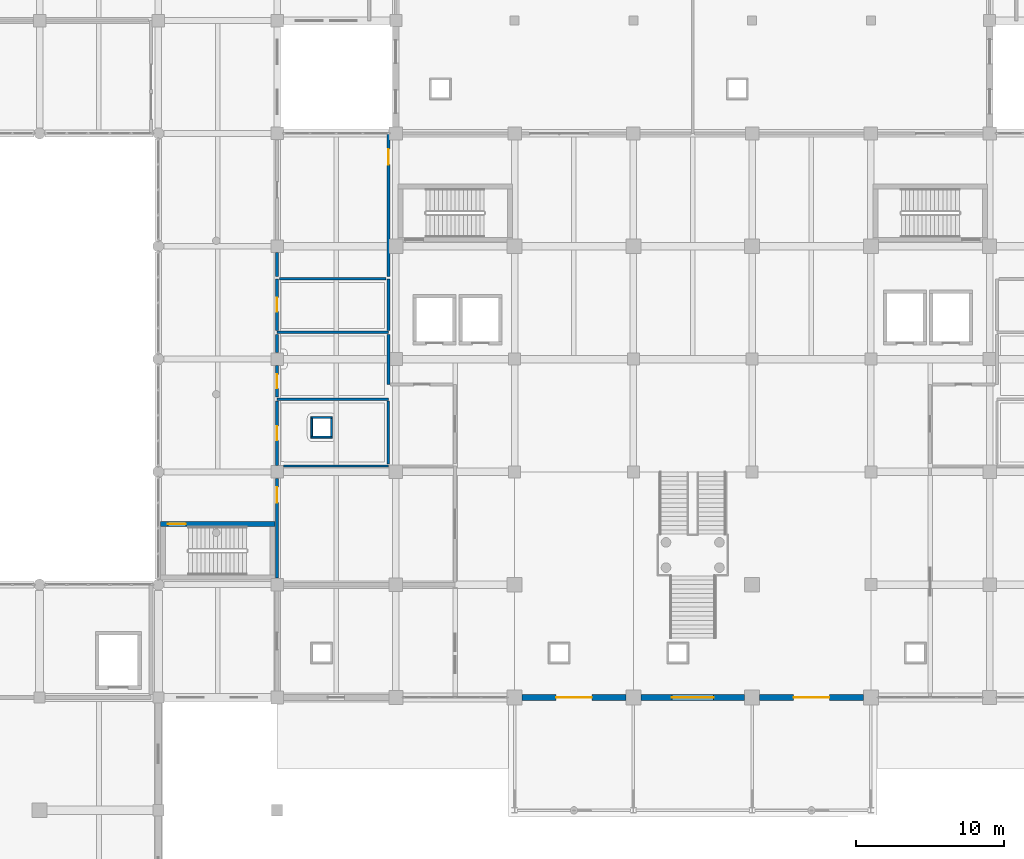
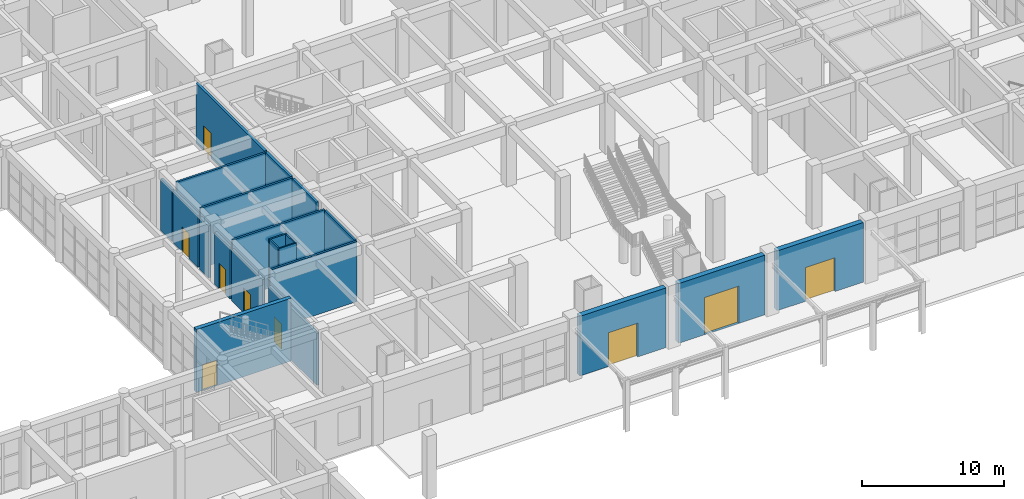
# One storey, part 71 of 95: 22 walls, 9 doors, 9 openings.
"""IFC4 building model written with IfcOpenShell, lengths in metres."""

from ifc_helpers import new_model, si_unit, direction, frame, frame_2d, origin, place, context, subcontext, project, spatial, rectangle, extrude, material, layer, layer_set, type_object, element, fill, save


model = new_model("IFC4")

# Units and contexts
model_context = context("Model", 3, precision=1e-05, world=origin(), true_north=direction((0.0, 1.0)))
body_context = subcontext(model_context, "Body", "Model", "MODEL_VIEW")
ifc_project = project(units=[si_unit("LENGTHUNIT", "METRE"), si_unit("AREAUNIT", "SQUARE_METRE"), si_unit("VOLUMEUNIT", "CUBIC_METRE"), si_unit("PLANEANGLEUNIT", "RADIAN"), si_unit("MASSUNIT", "GRAM", prefix="KILO")], contexts=[model_context])

# Site, building, storey
site_placement = place(None, origin())
site = spatial("IfcSite", under=ifc_project, at=site_placement, CompositionType="ELEMENT")
building_placement = place(site_placement, origin())
building = spatial("IfcBuilding", under=site, at=building_placement, Name="Zantavel Square City Hall", CompositionType="ELEMENT")
storey_placement = place(building_placement, origin())
storey = spatial("IfcBuildingStorey", under=building, at=storey_placement, Name="L01", CompositionType="ELEMENT", Elevation=0.0)

# Wall, opening, door
ifc_material_1 = material(Name="Concrete C40/50", Category="concrete")
ifc_layer_1 = layer(ifc_material_1, 0.320068359375, Name="Concrete C40/50")
ifc_layer_set_1 = layer_set([ifc_layer_1], Name="Concrete C40/50")
wall_type_1 = type_object("IfcWallType", Name="Core Shear Wall RC 320mm C40/50", PredefinedType="SHEAR", material=ifc_layer_set_1)
wall_1_placement = place(storey_placement, frame((48.14990234375, 42.080078125, 0.0), z_axis=(0.0, 0.0, 1.0), x_axis=(1.0, 0.0, 0.0)))
wall_1 = element("IfcWall", 1, at=wall_1_placement, inside=storey, type_object=wall_type_1, Name="L01 Exit Stair 3 West Pavilion Core Shear Wall North", PredefinedType="SHEAR", context=body_context, shape_type="SweptSolid", body=[
    extrude(rectangle(XDim=7.7001953125, YDim=0.320068359375, at=frame_2d((3.85009765625, 0.0))), origin(), (0.0, 0.0, 1.0), 5.39990234375),
])
opening_1_placement = place(wall_1_placement, frame((0.5, 0.0, 0.0)))
opening_1 = element("IfcOpeningElement", 2, at=opening_1_placement, cuts=wall_1, Name="Opening SD-013", PredefinedType="OPENING", context=body_context, shape_type="SweptSolid", body=[
    extrude(rectangle(XDim=1.199951171875, YDim=2.199951171875, at=frame_2d((0.60009765625, 1.10009765625))), frame((0.0, 0.169921875, 0.0), z_axis=(0.0, -1.0, 0.0), x_axis=(1.0, 0.0, 0.0)), (0.0, 0.0, 1.0), 0.340087890625),
])
ifc_material_2 = material(Name="Steel ASTM A500 Grade B", Category="steel")
door_type_1 = type_object("IfcDoorType", Name="Enclosed Exit Stairwell Fire Door 1200x2200 FD90S", OperationType="NOTDEFINED", PredefinedType="DOOR", material=ifc_material_2)
door_1_placement = place(opening_1_placement, origin())
door_1 = element("IfcDoor", 3, at=door_1_placement, inside=storey, type_object=door_type_1, Name="L01 Exit Stair 3 West Pavilion Core Fire Door", OperationType="SINGLE_SWING_LEFT", OverallHeight=2.199951171875, OverallWidth=1.199951171875, PredefinedType="DOOR", context=body_context, shape_type="SweptSolid", body=[
    extrude(rectangle(XDim=1.199951171875, YDim=2.199951171875, at=frame_2d((0.60009765625, 1.10009765625))), frame((0.0, 0.02490234375, 0.0), z_axis=(0.0, -1.0, 0.0), x_axis=(1.0, 0.0, 0.0)), (0.0, 0.0, 1.0), 0.050048828125),
])
fill(opening_1, door_1)

ifc_material_3 = material(Name="Cantera volcanic tuff stone", Category="masonry")
ifc_layer_2 = layer(ifc_material_3, 0.199951171875, Name="Cantera volcanic tuff stone")
ifc_layer_set_2 = layer_set([ifc_layer_2], Name="Cantera volcanic tuff stone")
wall_type_2 = type_object("IfcWallType", Name="Exit Corridor Rated Wall 200mm", PredefinedType="STANDARD", material=ifc_layer_set_2)
wall_2_placement = place(storey_placement, frame((56.0, 46.034912109375, 0.0), z_axis=(0.0, 0.0, 1.0), x_axis=(0.0, 1.0, 0.0)))
wall_2 = element("IfcWall", 4, at=wall_2_placement, inside=storey, type_object=wall_type_2, Name="L01 Interior Wall IW-L01-0050", PredefinedType="STANDARD", context=body_context, shape_type="SweptSolid", body=[
    extrude(rectangle(XDim=4.335205078125, YDim=0.199951171875, at=frame_2d((2.16748046875, 0.0))), origin(), (0.0, 0.0, 1.0), 4.4599609375),
])
opening_2_placement = place(wall_2_placement, frame((1.6923828125, 0.0, 0.0)))
opening_2 = element("IfcOpeningElement", 5, at=opening_2_placement, cuts=wall_2, Name="Opening D-0023", PredefinedType="OPENING", context=body_context, shape_type="SweptSolid", body=[
    extrude(rectangle(XDim=0.949951171875, YDim=2.14990234375, at=frame_2d((0.47509765625, 1.074951171875))), frame((0.0, 0.10986328125, 0.0), z_axis=(0.0, -1.0, 0.0), x_axis=(1.0, 0.0, 0.0)), (0.0, 0.0, 1.0), 0.219970703125),
])
ifc_material_4 = material(Name="Solid oak hardwood", Category="wood")
door_type_2 = type_object("IfcDoorType", Name="Corridor Restroom Oak Fire Door 950x2150 FD60S", OperationType="NOTDEFINED", PredefinedType="DOOR", material=ifc_material_4)
door_2_placement = place(opening_2_placement, origin())
door_2 = element("IfcDoor", 6, at=door_2_placement, inside=storey, type_object=door_type_2, Name="L01 L01 West Mens Restroom Door", OperationType="SINGLE_SWING_LEFT", OverallHeight=2.14990234375, OverallWidth=0.949951171875, PredefinedType="DOOR", context=body_context, shape_type="SweptSolid", body=[
    extrude(rectangle(XDim=0.949951171875, YDim=2.14990234375, at=frame_2d((0.47509765625, 1.074951171875))), frame((0.0, 0.02490234375, 0.0), z_axis=(0.0, -1.0, 0.0), x_axis=(1.0, 0.0, 0.0)), (0.0, 0.0, 1.0), 0.050048828125),
])
fill(opening_2, door_2)

wall_3_placement = place(storey_placement, frame((56.0, 50.6298828125, 0.0), z_axis=(0.0, 0.0, 1.0), x_axis=(0.0, 1.0, 0.0)))
wall_3 = element("IfcWall", 7, at=wall_3_placement, inside=storey, type_object=wall_type_2, Name="L01 Interior Wall IW-L01-0053", PredefinedType="STANDARD", context=body_context, shape_type="SweptSolid", body=[
    extrude(rectangle(XDim=2.135009765625, YDim=0.199951171875, at=frame_2d((1.0673828125, 0.0))), origin(), (0.0, 0.0, 1.0), 4.4599609375),
])
opening_3_placement = place(wall_3_placement, frame((0.592529296875, 0.0, 0.0)))
opening_3 = element("IfcOpeningElement", 8, at=opening_3_placement, cuts=wall_3, Name="Opening D-0024", PredefinedType="OPENING", context=body_context, shape_type="SweptSolid", body=[
    extrude(rectangle(XDim=0.949951171875, YDim=2.14990234375, at=frame_2d((0.47509765625, 1.074951171875))), frame((0.0, 0.10986328125, 0.0), z_axis=(0.0, -1.0, 0.0), x_axis=(1.0, 0.0, 0.0)), (0.0, 0.0, 1.0), 0.219970703125),
])
door_3_placement = place(opening_3_placement, origin())
door_3 = element("IfcDoor", 9, at=door_3_placement, inside=storey, type_object=door_type_2, Name="L01 L01 West Womens Restroom Door", OperationType="SINGLE_SWING_RIGHT", OverallHeight=2.14990234375, OverallWidth=0.949951171875, PredefinedType="DOOR", context=body_context, shape_type="SweptSolid", body=[
    extrude(rectangle(XDim=0.949951171875, YDim=2.14990234375, at=frame_2d((0.47509765625, 1.074951171875))), frame((0.0, 0.02490234375, 0.0), z_axis=(0.0, -1.0, 0.0), x_axis=(1.0, 0.0, 0.0)), (0.0, 0.0, 1.0), 0.050048828125),
])
fill(opening_3, door_3)

# Walls
wall_4_placement = place(storey_placement, frame((56.0, 53.635009765625, 0.0), z_axis=(0.0, 0.0, 1.0), x_axis=(0.0, 1.0, 0.0)))
element("IfcWall", 10, at=wall_4_placement, inside=storey, type_object=wall_type_2, Name="L01 Interior Wall IW-L01-0054", PredefinedType="STANDARD", context=body_context, shape_type="SweptSolid", body=[
    extrude(rectangle(XDim=1.235107421875, YDim=0.199951171875, at=frame_2d((0.61767578125, 0.0))), origin(), (0.0, 0.0, 1.0), 4.4599609375),
])
wall_5_placement = place(storey_placement, frame((63.5, 54.8701171875, 0.0), z_axis=(0.0, 0.0, 1.0), x_axis=(0.0, -1.0, 0.0)))
element("IfcWall", 11, at=wall_5_placement, inside=storey, type_object=wall_type_2, Name="L01 Interior Wall IW-L01-0055", PredefinedType="STANDARD", context=body_context, shape_type="SweptSolid", body=[
    extrude(rectangle(XDim=3.3701171875, YDim=0.199951171875, at=frame_2d((1.68505859375, 0.0))), origin(), (0.0, 0.0, 1.0), 5.159912109375),
])

# Wall, opening, door
wall_6_placement = place(storey_placement, frame((56.0, 55.1298828125, 0.0), z_axis=(0.0, 0.0, 1.0), x_axis=(0.0, 1.0, 0.0)))
wall_6 = element("IfcWall", 12, at=wall_6_placement, inside=storey, type_object=wall_type_2, Name="L01 Interior Wall IW-L01-0056", PredefinedType="STANDARD", context=body_context, shape_type="SweptSolid", body=[
    extrude(rectangle(XDim=3.47021484375, YDim=0.199951171875, at=frame_2d((1.735107421875, 0.0))), origin(), (0.0, 0.0, 1.0), 4.4599609375),
])
opening_4_placement = place(wall_6_placement, frame((1.260009765625, 0.0, 0.0)))
opening_4 = element("IfcOpeningElement", 13, at=opening_4_placement, cuts=wall_6, Name="Opening D-0025", PredefinedType="OPENING", context=body_context, shape_type="SweptSolid", body=[
    extrude(rectangle(XDim=0.949951171875, YDim=2.14990234375, at=frame_2d((0.47509765625, 1.074951171875))), frame((0.0, 0.10986328125, 0.0), z_axis=(0.0, -1.0, 0.0), x_axis=(1.0, 0.0, 0.0)), (0.0, 0.0, 1.0), 0.219970703125),
])
door_4_placement = place(opening_4_placement, origin())
door_4 = element("IfcDoor", 14, at=door_4_placement, inside=storey, type_object=door_type_2, Name="L01 L01 West Accessible WC Door", OperationType="SINGLE_SWING_LEFT", OverallHeight=2.14990234375, OverallWidth=0.949951171875, PredefinedType="DOOR", context=body_context, shape_type="SweptSolid", body=[
    extrude(rectangle(XDim=0.949951171875, YDim=2.14990234375, at=frame_2d((0.47509765625, 1.074951171875))), frame((0.0, 0.02490234375, 0.0), z_axis=(0.0, -1.0, 0.0), x_axis=(1.0, 0.0, 0.0)), (0.0, 0.0, 1.0), 0.050048828125),
])
fill(opening_4, door_4)

# Wall
wall_7_placement = place(storey_placement, frame((63.5, 58.60009765625, 0.0), z_axis=(0.0, 0.0, 1.0), x_axis=(0.0, -1.0, 0.0)))
element("IfcWall", 15, at=wall_7_placement, inside=storey, type_object=wall_type_2, Name="L01 Interior Wall IW-L01-0057", PredefinedType="STANDARD", context=body_context, shape_type="SweptSolid", body=[
    extrude(rectangle(XDim=3.47021484375, YDim=0.199951171875, at=frame_2d((1.735107421875, 0.0))), origin(), (0.0, 0.0, 1.0), 5.159912109375),
])

# Wall, opening, door
wall_8_placement = place(storey_placement, frame((56.0, 38.43505859375, 0.0), z_axis=(0.0, 0.0, 1.0), x_axis=(0.0, 1.0, 0.0)))
wall_8 = element("IfcWall", 16, at=wall_8_placement, inside=storey, type_object=wall_type_2, Name="L01 Interior Wall IW-L01-0123", PredefinedType="STANDARD", context=body_context, shape_type="SweptSolid", body=[
    extrude(rectangle(XDim=6.72998046875, YDim=0.199951171875, at=frame_2d((3.364990234375, 0.0))), origin(), (0.0, 0.0, 1.0), 4.4599609375),
])
opening_5_placement = place(wall_8_placement, frame((5.090087890625, 0.0, 0.0)))
opening_5 = element("IfcOpeningElement", 17, at=opening_5_placement, cuts=wall_8, Name="Opening D-0047", PredefinedType="OPENING", context=body_context, shape_type="SweptSolid", body=[
    extrude(rectangle(XDim=1.050048828125, YDim=2.14990234375, at=frame_2d((0.52490234375, 1.074951171875))), frame((0.0, 0.10986328125, 0.0), z_axis=(0.0, -1.0, 0.0), x_axis=(1.0, 0.0, 0.0)), (0.0, 0.0, 1.0), 0.219970703125),
])
door_type_3 = type_object("IfcDoorType", Name="Corridor Office Oak Fire Door 1050x2150 FD60S", OperationType="NOTDEFINED", PredefinedType="DOOR", material=ifc_material_4)
door_5_placement = place(opening_5_placement, origin())
door_5 = element("IfcDoor", 18, at=door_5_placement, inside=storey, type_object=door_type_3, Name="L01 Public Reception and Civic Security Hall Door", OperationType="SINGLE_SWING_LEFT", OverallHeight=2.14990234375, OverallWidth=1.050048828125, PredefinedType="DOOR", context=body_context, shape_type="SweptSolid", body=[
    extrude(rectangle(XDim=1.050048828125, YDim=2.14990234375, at=frame_2d((0.52490234375, 1.074951171875))), frame((0.0, 0.02490234375, 0.0), z_axis=(0.0, -1.0, 0.0), x_axis=(1.0, 0.0, 0.0)), (0.0, 0.0, 1.0), 0.050048828125),
])
fill(opening_5, door_5)

# Wall
wall_9_placement = place(storey_placement, frame((56.0, 60.364990234375, 0.0), z_axis=(0.0, 0.0, 1.0), x_axis=(0.0, -1.0, 0.0)))
element("IfcWall", 19, at=wall_9_placement, inside=storey, type_object=wall_type_2, Name="L01 Interior Wall IW-L01-0147", PredefinedType="STANDARD", context=body_context, shape_type="SweptSolid", body=[
    extrude(rectangle(XDim=1.614990234375, YDim=0.199951171875, at=frame_2d((0.8076171875, 0.0))), origin(), (0.0, 0.0, 1.0), 4.4599609375),
])

# Wall, opening, door
wall_10_placement = place(storey_placement, frame((63.5, 58.75, 0.0), z_axis=(0.0, 0.0, 1.0), x_axis=(0.0, 1.0, 0.0)))
wall_10 = element("IfcWall", 20, at=wall_10_placement, inside=storey, type_object=wall_type_2, Name="L01 Interior Wall IW-L01-0153", PredefinedType="STANDARD", context=body_context, shape_type="SweptSolid", body=[
    extrude(rectangle(XDim=9.64990234375, YDim=0.199951171875, at=frame_2d((4.824951171875, 0.0))), origin(), (0.0, 0.0, 1.0), 5.159912109375),
])
opening_6_placement = place(wall_10_placement, frame((7.550048828125, 0.0, 0.0)))
opening_6 = element("IfcOpeningElement", 21, at=opening_6_placement, cuts=wall_10, Name="Opening D-0060", PredefinedType="OPENING", context=body_context, shape_type="SweptSolid", body=[
    extrude(rectangle(XDim=1.050048828125, YDim=2.14990234375, at=frame_2d((0.52490234375, 1.074951171875))), frame((0.0, 0.10986328125, 0.0), z_axis=(0.0, -1.0, 0.0), x_axis=(1.0, 0.0, 0.0)), (0.0, 0.0, 1.0), 0.219970703125),
])
door_6_placement = place(opening_6_placement, origin())
door_6 = element("IfcDoor", 22, at=door_6_placement, inside=storey, type_object=door_type_3, Name="L01 L01 Municipal Support Office 2 Door", OperationType="SINGLE_SWING_RIGHT", OverallHeight=2.14990234375, OverallWidth=1.050048828125, PredefinedType="DOOR", context=body_context, shape_type="SweptSolid", body=[
    extrude(rectangle(XDim=1.050048828125, YDim=2.14990234375, at=frame_2d((0.52490234375, 1.074951171875))), frame((0.0, 0.02490234375, 0.0), z_axis=(0.0, -1.0, 0.0), x_axis=(1.0, 0.0, 0.0)), (0.0, 0.0, 1.0), 0.050048828125),
])
fill(opening_6, door_6)

ifc_layer_3 = layer(ifc_material_3, 0.419921875, Name="Cantera volcanic tuff stone")
ifc_layer_set_3 = layer_set([ifc_layer_3], Name="Cantera volcanic tuff stone")
wall_type_3 = type_object("IfcWallType", Name="Forecourt Colonnade Ashlar Wall 420mm", PredefinedType="STANDARD", material=ifc_layer_set_3)
wall_11_placement = place(storey_placement, frame((95.5, 30.39990234375, 0.0), z_axis=(0.0, 0.0, 1.0), x_axis=(-1.0, 0.0, 0.0)))
wall_11 = element("IfcWall", 23, at=wall_11_placement, inside=storey, type_object=wall_type_3, Name="L01 Exterior Wall EW-L01-077", PredefinedType="STANDARD", context=body_context, shape_type="SweptSolid", body=[
    extrude(rectangle(XDim=7.0, YDim=0.419921875, at=frame_2d((3.5, 0.0))), origin(), (0.0, 0.0, 1.0), 5.1201171875),
])
opening_7_placement = place(wall_11_placement, frame((2.300048828125, 0.0, 0.0)))
opening_7 = element("IfcOpeningElement", 24, at=opening_7_placement, cuts=wall_11, Name="Opening ED-011", PredefinedType="OPENING", context=body_context, shape_type="SweptSolid", body=[
    extrude(rectangle(XDim=2.39990234375, YDim=2.89990234375, at=frame_2d((1.199951171875, 1.449951171875))), frame((0.0, 0.219970703125, 0.0), z_axis=(0.0, -1.0, 0.0), x_axis=(1.0, 0.0, 0.0)), (0.0, 0.0, 1.0), 0.43994140625),
])
door_type_4 = type_object("IfcDoorType", Name="Public Hall Grand Entrance Door 2400x2900", OperationType="NOTDEFINED", PredefinedType="DOOR", material=ifc_material_4)
door_7_placement = place(opening_7_placement, origin())
door_7 = element("IfcDoor", 25, at=door_7_placement, inside=storey, type_object=door_type_4, Name="Honor Vestibule East Portal", OperationType="DOUBLE_DOOR_SINGLE_SWING", OverallHeight=2.89990234375, OverallWidth=2.39990234375, PredefinedType="DOOR", context=body_context, shape_type="SweptSolid", body=[
    extrude(rectangle(XDim=2.39990234375, YDim=2.89990234375, at=frame_2d((1.199951171875, 1.449951171875))), frame((0.0, 0.02490234375, 0.0), z_axis=(0.0, -1.0, 0.0), x_axis=(1.0, 0.0, 0.0)), (0.0, 0.0, 1.0), 0.050048828125),
])
fill(opening_7, door_7)

wall_12_placement = place(storey_placement, frame((87.5, 30.39990234375, 0.0), z_axis=(0.0, 0.0, 1.0), x_axis=(-1.0, 0.0, 0.0)))
wall_12 = element("IfcWall", 26, at=wall_12_placement, inside=storey, type_object=wall_type_3, Name="L01 Exterior Wall EW-L01-078", PredefinedType="STANDARD", context=body_context, shape_type="SweptSolid", body=[
    extrude(rectangle(XDim=7.0, YDim=0.419921875, at=frame_2d((3.5, 0.0))), origin(), (0.0, 0.0, 1.0), 5.1201171875),
])
opening_8_placement = place(wall_12_placement, frame((2.10009765625, 0.0, 0.0)))
opening_8 = element("IfcOpeningElement", 27, at=opening_8_placement, cuts=wall_12, Name="Opening ED-012", PredefinedType="OPENING", context=body_context, shape_type="SweptSolid", body=[
    extrude(rectangle(XDim=2.800048828125, YDim=3.199951171875, at=frame_2d((1.39990234375, 1.60009765625))), frame((0.0, 0.219970703125, 0.0), z_axis=(0.0, -1.0, 0.0), x_axis=(1.0, 0.0, 0.0)), (0.0, 0.0, 1.0), 0.43994140625),
])
door_type_5 = type_object("IfcDoorType", Name="Ceremonial Portal Bronze-Oak Double Door 2800x3200", OperationType="NOTDEFINED", PredefinedType="DOOR", material=ifc_material_4)
door_8_placement = place(opening_8_placement, origin())
door_8 = element("IfcDoor", 28, at=door_8_placement, inside=storey, type_object=door_type_5, Name="Honor Vestibule Central Portal", OperationType="DOUBLE_DOOR_SINGLE_SWING", OverallHeight=3.199951171875, OverallWidth=2.800048828125, PredefinedType="DOOR", context=body_context, shape_type="SweptSolid", body=[
    extrude(rectangle(XDim=2.800048828125, YDim=3.199951171875, at=frame_2d((1.39990234375, 1.60009765625))), frame((0.0, 0.02490234375, 0.0), z_axis=(0.0, -1.0, 0.0), x_axis=(1.0, 0.0, 0.0)), (0.0, 0.0, 1.0), 0.050048828125),
])
fill(opening_8, door_8)

wall_13_placement = place(storey_placement, frame((79.5, 30.39990234375, 0.0), z_axis=(0.0, 0.0, 1.0), x_axis=(-1.0, 0.0, 0.0)))
wall_13 = element("IfcWall", 29, at=wall_13_placement, inside=storey, type_object=wall_type_3, Name="L01 Exterior Wall EW-L01-079", PredefinedType="STANDARD", context=body_context, shape_type="SweptSolid", body=[
    extrude(rectangle(XDim=7.0, YDim=0.419921875, at=frame_2d((3.5, 0.0))), origin(), (0.0, 0.0, 1.0), 5.1201171875),
])
opening_9_placement = place(wall_13_placement, frame((2.300048828125, 0.0, 0.0)))
opening_9 = element("IfcOpeningElement", 30, at=opening_9_placement, cuts=wall_13, Name="Opening ED-013", PredefinedType="OPENING", context=body_context, shape_type="SweptSolid", body=[
    extrude(rectangle(XDim=2.39990234375, YDim=2.89990234375, at=frame_2d((1.199951171875, 1.449951171875))), frame((0.0, 0.219970703125, 0.0), z_axis=(0.0, -1.0, 0.0), x_axis=(1.0, 0.0, 0.0)), (0.0, 0.0, 1.0), 0.43994140625),
])
door_9_placement = place(opening_9_placement, origin())
door_9 = element("IfcDoor", 31, at=door_9_placement, inside=storey, type_object=door_type_4, Name="Honor Vestibule West Portal", OperationType="DOUBLE_DOOR_SINGLE_SWING", OverallHeight=2.89990234375, OverallWidth=2.39990234375, PredefinedType="DOOR", context=body_context, shape_type="SweptSolid", body=[
    extrude(rectangle(XDim=2.39990234375, YDim=2.89990234375, at=frame_2d((1.199951171875, 1.449951171875))), frame((0.0, 0.02490234375, 0.0), z_axis=(0.0, -1.0, 0.0), x_axis=(1.0, 0.0, 0.0)), (0.0, 0.0, 1.0), 0.050048828125),
])
fill(opening_9, door_9)

# Walls
ifc_layer_4 = layer(ifc_material_3, 0.159912109375, Name="Cantera volcanic tuff stone")
ifc_layer_set_4 = layer_set([ifc_layer_4], Name="Cantera volcanic tuff stone")
wall_type_4 = type_object("IfcWallType", Name="Restroom Wet-Wall Partition 160mm", PredefinedType="PARTITIONING", material=ifc_layer_set_4)
wall_14_placement = place(storey_placement, frame((56.0, 50.5, 0.0), z_axis=(0.0, 0.0, 1.0), x_axis=(1.0, 0.0, 0.0)))
element("IfcWall", 32, at=wall_14_placement, inside=storey, type_object=wall_type_4, Name="L01 Interior Wall IW-L01-0048", PredefinedType="PARTITIONING", context=body_context, shape_type="SweptSolid", body=[
    extrude(rectangle(XDim=7.5, YDim=0.159912109375, at=frame_2d((3.75, 0.0))), origin(), (0.0, 0.0, 1.0), 5.159912109375),
])
wall_15_placement = place(storey_placement, frame((63.5, 46.0, 0.0), z_axis=(0.0, 0.0, 1.0), x_axis=(-1.0, 0.0, 0.0)))
element("IfcWall", 33, at=wall_15_placement, inside=storey, type_object=wall_type_4, Name="L01 Interior Wall IW-L01-0049", PredefinedType="PARTITIONING", context=body_context, shape_type="SweptSolid", body=[
    extrude(rectangle(XDim=7.06494140625, YDim=0.159912109375, at=frame_2d((3.532470703125, 0.0))), origin(), (0.0, 0.0, 1.0), 5.159912109375),
])
wall_16_placement = place(storey_placement, frame((63.5, 50.3701171875, 0.0), z_axis=(0.0, 0.0, 1.0), x_axis=(0.0, -1.0, 0.0)))
element("IfcWall", 34, at=wall_16_placement, inside=storey, type_object=wall_type_4, Name="L01 Interior Wall IW-L01-0051", PredefinedType="PARTITIONING", context=body_context, shape_type="SweptSolid", body=[
    extrude(rectangle(XDim=4.240234375, YDim=0.159912109375, at=frame_2d((2.1201171875, 0.0))), origin(), (0.0, 0.0, 1.0), 5.159912109375),
])
wall_17_placement = place(storey_placement, frame((56.0, 55.0, 0.0), z_axis=(0.0, 0.0, 1.0), x_axis=(1.0, 0.0, 0.0)))
element("IfcWall", 35, at=wall_17_placement, inside=storey, type_object=wall_type_4, Name="L01 Interior Wall IW-L01-0052", PredefinedType="PARTITIONING", context=body_context, shape_type="SweptSolid", body=[
    extrude(rectangle(XDim=7.5, YDim=0.159912109375, at=frame_2d((3.75, 0.0))), origin(), (0.0, 0.0, 1.0), 5.159912109375),
])
wall_18_placement = place(storey_placement, frame((56.14990234375, 58.60009765625, 0.0), z_axis=(0.0, 0.0, 1.0), x_axis=(1.0, 0.0, 0.0)))
element("IfcWall", 36, at=wall_18_placement, inside=storey, type_object=wall_type_4, Name="L01 Interior Wall IW-L01-0058", PredefinedType="PARTITIONING", context=body_context, shape_type="SweptSolid", body=[
    extrude(rectangle(XDim=7.2001953125, YDim=0.159912109375, at=frame_2d((3.60009765625, 0.0))), origin(), (0.0, 0.0, 1.0), 5.159912109375),
])
ifc_material_5 = material(Name="Concrete C35/45", Category="concrete")
ifc_layer_5 = layer(ifc_material_5, 0.1201171875, Name="Concrete C35/45")
ifc_layer_set_5 = layer_set([ifc_layer_5], Name="Concrete C35/45")
wall_type_5 = type_object("IfcWallType", Name="Riser Chase Wall RC 120mm C35/45", PredefinedType="PARTITIONING", material=ifc_layer_set_5)
wall_19_placement = place(storey_placement, frame((59.719970703125, 47.93994140625, 0.0), z_axis=(0.0, 0.0, 1.0), x_axis=(-1.0, 0.0, 0.0)))
element("IfcWall", 37, at=wall_19_placement, inside=storey, type_object=wall_type_5, Name="L01 MEP Riser 05 Wall S", PredefinedType="PARTITIONING", context=body_context, shape_type="SweptSolid", body=[
    extrude(rectangle(XDim=1.43994140625, YDim=0.1201171875, at=frame_2d((0.719970703125, 0.0))), origin(), (0.0, 0.0, 1.0), 5.159912109375),
])
wall_20_placement = place(storey_placement, frame((58.340087890625, 48.0, 0.0), z_axis=(0.0, 0.0, 1.0), x_axis=(0.0, 1.0, 0.0)))
element("IfcWall", 38, at=wall_20_placement, inside=storey, type_object=wall_type_5, Name="L01 MEP Riser 05 Wall W", PredefinedType="PARTITIONING", context=body_context, shape_type="SweptSolid", body=[
    extrude(rectangle(XDim=1.199951171875, YDim=0.1201171875, at=frame_2d((0.60009765625, 0.0))), origin(), (0.0, 0.0, 1.0), 5.159912109375),
])
wall_21_placement = place(storey_placement, frame((58.280029296875, 49.260009765625, 0.0), z_axis=(0.0, 0.0, 1.0), x_axis=(1.0, 0.0, 0.0)))
element("IfcWall", 39, at=wall_21_placement, inside=storey, type_object=wall_type_5, Name="L01 MEP Riser 05 Wall N", PredefinedType="PARTITIONING", context=body_context, shape_type="SweptSolid", body=[
    extrude(rectangle(XDim=1.43994140625, YDim=0.1201171875, at=frame_2d((0.719970703125, 0.0))), origin(), (0.0, 0.0, 1.0), 5.159912109375),
])
wall_22_placement = place(storey_placement, frame((59.659912109375, 49.199951171875, 0.0), z_axis=(0.0, 0.0, 1.0), x_axis=(0.0, -1.0, 0.0)))
element("IfcWall", 40, at=wall_22_placement, inside=storey, type_object=wall_type_5, Name="L01 MEP Riser 05 Wall E", PredefinedType="PARTITIONING", context=body_context, shape_type="SweptSolid", body=[
    extrude(rectangle(XDim=1.199951171875, YDim=0.1201171875, at=frame_2d((0.60009765625, 0.0))), origin(), (0.0, 0.0, 1.0), 5.159912109375),
])

save(model, "model.ifc")
